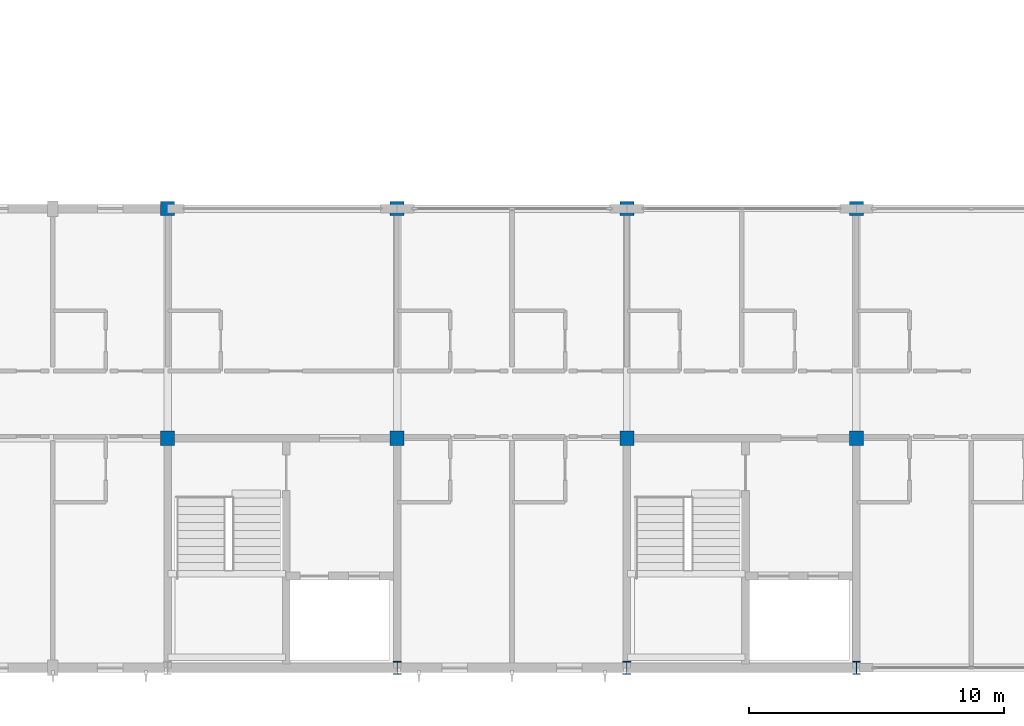
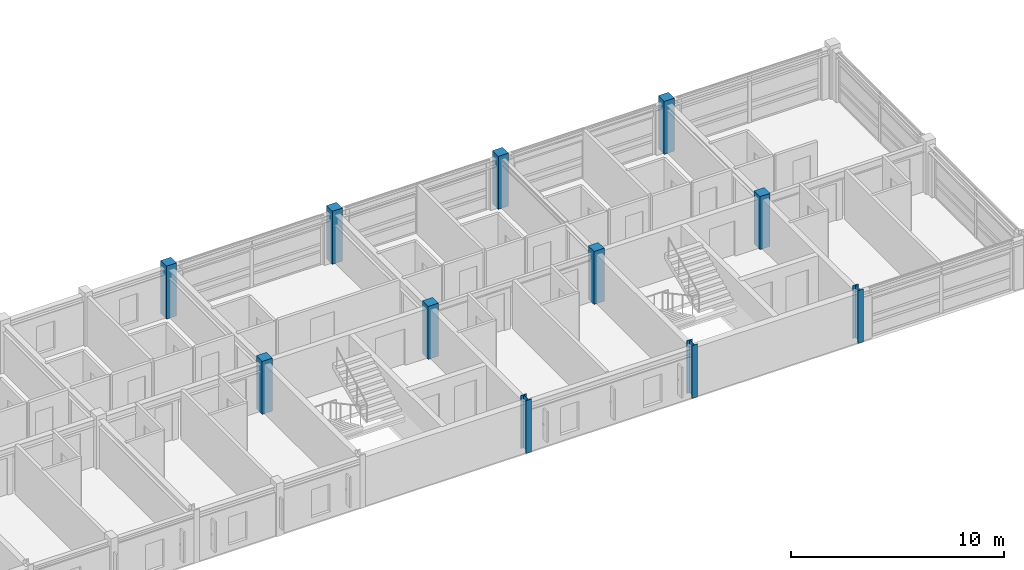
# One storey, part 2 of 30: 11 columns.
"""IFC4 building model written with IfcOpenShell, lengths in metres."""

from ifc_helpers import new_model, si_unit, direction, frame, origin, origin_2d, place, context, subcontext, project, spatial, rectangle, i_section, extrude, material, material_profile, profile_set, type_object, element, save


model = new_model("IFC4")

# Units and contexts
model_context = context("Model", 3, precision=1e-05, world=origin(), true_north=direction((0.0, 1.0)))
body_context = subcontext(model_context, "Body", "Model", "MODEL_VIEW")
ifc_project = project(units=[si_unit("LENGTHUNIT", "METRE"), si_unit("AREAUNIT", "SQUARE_METRE"), si_unit("VOLUMEUNIT", "CUBIC_METRE"), si_unit("PLANEANGLEUNIT", "RADIAN"), si_unit("MASSUNIT", "GRAM", prefix="KILO")], contexts=[model_context])

# Site, building, storey
site_placement = place(None, origin())
site = spatial("IfcSite", under=ifc_project, at=site_placement, CompositionType="ELEMENT")
building_placement = place(site_placement, origin())
building = spatial("IfcBuilding", under=site, at=building_placement, Name="Palais des Congres Ocreval", CompositionType="ELEMENT")
storey_placement = place(building_placement, frame((0.0, 0.0, 14.56005859375)))
storey = spatial("IfcBuildingStorey", under=building, at=storey_placement, Name="L04", CompositionType="ELEMENT", Elevation=14.56005859375)

# Columns
ifc_material_1 = material(Name="Steel S355", Category="steel")
ifc_material_profile_1 = material_profile(ifc_material_1, i_section(OverallWidth=0.300048828125, OverallDepth=0.5, WebThickness=0.014404296875, FlangeThickness=0.028076171875, at=origin_2d()), Name="HEB 500")
ifc_profile_set_1 = profile_set([ifc_material_profile_1], Name="Steel S355")
column_type_1 = type_object("IfcColumnType", Name="Column HEB 500 Steel S355", PredefinedType="COLUMN", material=ifc_profile_set_1)
for number, where, z_axis, x_axis, name in (
    (1, (45.0, 0.0, 0.0), (0.0, 0.0, 1.0), (1.0, 0.0, 0.0), "Column C08 L04"),
    (2, (54.0, 0.0, 0.0), (0.0, 0.0, 1.0), (1.0, 0.0, 0.0), "Column C08 L04"),
    (3, (63.0, 0.0, 0.0), (0.0, 0.0, 1.0), (1.0, 0.0, 0.0), "Column C08 L04"),
):
    element("IfcColumn", number, at=place(storey_placement, frame(where, z_axis=z_axis, x_axis=x_axis)), inside=storey, type_object=column_type_1, Name=name, PredefinedType="COLUMN", context=body_context, shape_type="SweptSolid", body=[
        extrude(i_section(OverallWidth=0.300048828125, OverallDepth=0.5, WebThickness=0.014404296875, FlangeThickness=0.028076171875, at=origin_2d()), origin(), (0.0, 0.0, 1.0), 3.0400390625),
    ])
ifc_material_2 = material(Name="Concrete C40/50", Category="concrete")
ifc_material_profile_2 = material_profile(ifc_material_2, rectangle(XDim=0.550048828125, YDim=0.550048828125, at=origin_2d()), Name="RC 550x550")
ifc_profile_set_2 = profile_set([ifc_material_profile_2], Name="Concrete C40/50")
column_type_2 = type_object("IfcColumnType", Name="Column RC 550x550 Concrete C40/50", PredefinedType="COLUMN", material=ifc_profile_set_2)
for number, where, z_axis, x_axis, name in (
    (4, (36.0, 9.0, 0.0), (0.0, 0.0, 1.0), (1.0, 0.0, 0.0), "Column C24 L04"),
    (5, (36.0, 18.0, 0.0), (0.0, 0.0, 1.0), (1.0, 0.0, 0.0), "Column C24 L04"),
    (6, (45.0, 9.0, 0.0), (0.0, 0.0, 1.0), (1.0, 0.0, 0.0), "Column C24 L04"),
    (7, (45.0, 18.0, 0.0), (0.0, 0.0, 1.0), (1.0, 0.0, 0.0), "Column C24 L04"),
    (8, (54.0, 9.0, 0.0), (0.0, 0.0, 1.0), (1.0, 0.0, 0.0), "Column C24 L04"),
    (9, (54.0, 18.0, 0.0), (0.0, 0.0, 1.0), (1.0, 0.0, 0.0), "Column C24 L04"),
    (10, (63.0, 9.0, 0.0), (0.0, 0.0, 1.0), (1.0, 0.0, 0.0), "Column C24 L04"),
    (11, (63.0, 18.0, 0.0), (0.0, 0.0, 1.0), (1.0, 0.0, 0.0), "Column C24 L04"),
):
    element("IfcColumn", number, at=place(storey_placement, frame(where, z_axis=z_axis, x_axis=x_axis)), inside=storey, type_object=column_type_2, Name=name, PredefinedType="COLUMN", context=body_context, shape_type="SweptSolid", body=[
        extrude(rectangle(XDim=0.550048828125, YDim=0.550048828125, at=origin_2d()), origin(), (0.0, 0.0, 1.0), 3.0400390625),
    ])

save(model, "model.ifc")
